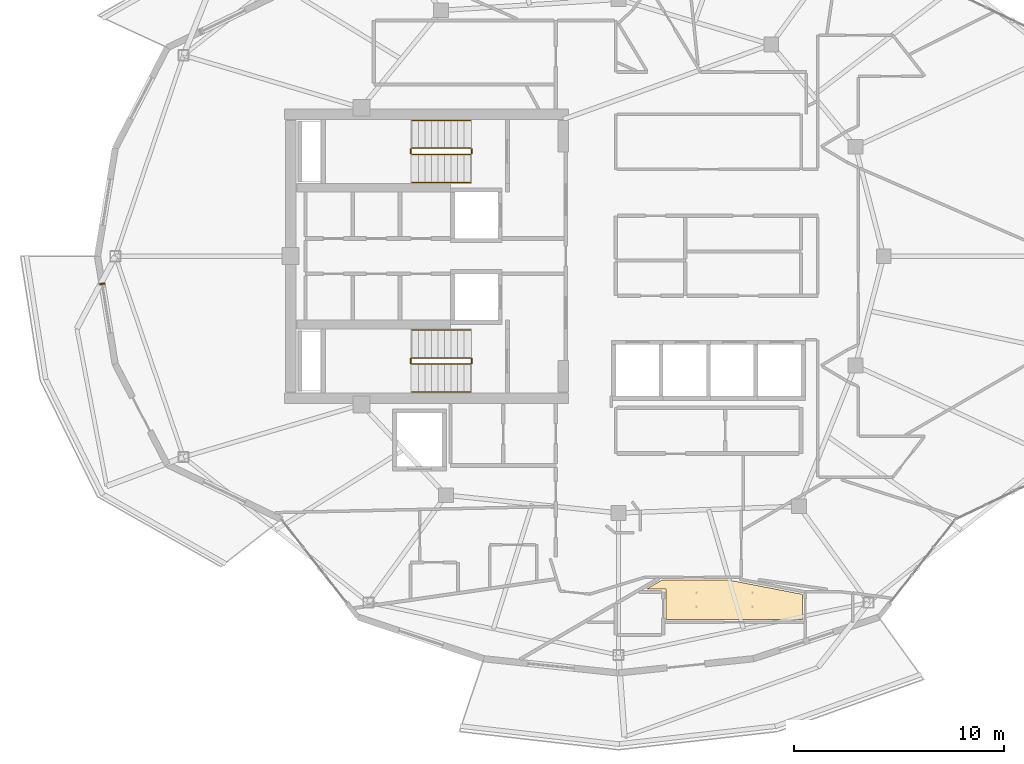
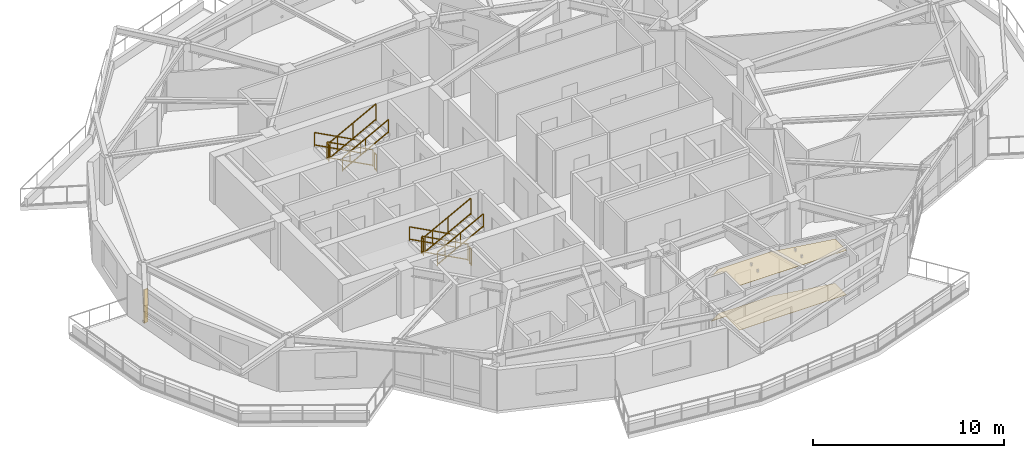
# One storey, part 19 of 21: 12 railings, 2 coverings, 1 shading device.
"""IFC4 building model written with IfcOpenShell, lengths in metres."""

from ifc_helpers import new_model, si_unit, direction, frame, origin, origin_2d, place, context, subcontext, project, spatial, polyline, rectangle, outline, extrude, material, layer, layer_set, type_object, element, save


model = new_model("IFC4")

# Units and contexts
model_context = context("Model", 3, precision=1e-05, world=origin(), true_north=direction((0.0, 1.0)))
body_context = subcontext(model_context, "Body", "Model", "MODEL_VIEW")
ifc_project = project(units=[si_unit("LENGTHUNIT", "METRE"), si_unit("AREAUNIT", "SQUARE_METRE"), si_unit("VOLUMEUNIT", "CUBIC_METRE"), si_unit("PLANEANGLEUNIT", "RADIAN"), si_unit("MASSUNIT", "GRAM", prefix="KILO")], contexts=[model_context])

# Site, building, storey
site_placement = place(None, origin())
site = spatial("IfcSite", under=ifc_project, at=site_placement, CompositionType="ELEMENT")
building_placement = place(site_placement, origin())
building = spatial("IfcBuilding", under=site, at=building_placement, Name="Kolvaren Gate Tower and Convention Centre", CompositionType="ELEMENT")
storey_placement = place(building_placement, frame((0.0, 0.0, 226.10009765625)))
storey = spatial("IfcBuildingStorey", under=building, at=storey_placement, Name="L60", CompositionType="ELEMENT", Elevation=226.10009765625)

# Coverings
ifc_material_1 = material(Name="Perforated Mineral-Fibre Acoustic Ceiling Tile 18 mm", Category="gypsum")
ifc_layer_1 = layer(ifc_material_1, 0.01806640625)
ifc_layer_set_1 = layer_set([ifc_layer_1], Name="Perforated Mineral-Fibre Acoustic Ceiling Tile 18 mm")
covering_type_1 = type_object("IfcCoveringType", Name="ARCH-COV-CEIL-18", PredefinedType="CEILING", material=ifc_layer_set_1)
covering_1_placement = place(storey_placement, frame((0.0, 0.0, 2.849853515625)))
element("IfcCovering", 1, at=covering_1_placement, inside=storey, type_object=covering_type_1, Name="Duplex Loft Living Room (APT-L60-02) Acoustic Suspended Ceiling", PredefinedType="CEILING", context=body_context, shape_type="SweptSolid", body=[
    extrude(outline(polyline([(32.389892578125, 9.7451171875), (32.389892578125, 11.18994140625), (31.470947265625, 11.18994140625), (32.193115234375, 11.610107421875), (35.3701171875, 11.610107421875), (38.860107421875, 10.93408203125), (38.860107421875, 9.7451171875), (32.389892578125, 9.7451171875)])), origin(), (0.0, 0.0, 1.0), 0.01806640625),
])
ifc_material_2 = material(Name="FSC Andean Oak Engineered Parquet Flooring 22 mm", Category="wood")
ifc_layer_2 = layer(ifc_material_2, 0.02197265625)
ifc_layer_set_2 = layer_set([ifc_layer_2], Name="FSC Andean Oak Engineered Parquet Flooring 22 mm")
covering_type_2 = type_object("IfcCoveringType", Name="ARCH-COV-WOOD-22", PredefinedType="FLOORING", material=ifc_layer_set_2)
covering_2_placement = place(storey_placement, origin())
element("IfcCovering", 2, at=covering_2_placement, inside=storey, type_object=covering_type_2, Name="Duplex Loft Living Room (APT-L60-02) Interior Finish Flooring", PredefinedType="FLOORING", context=body_context, shape_type="SweptSolid", body=[
    extrude(outline(polyline([(32.389892578125, 9.7451171875), (32.389892578125, 11.18994140625), (31.470947265625, 11.18994140625), (32.193115234375, 11.610107421875), (35.3701171875, 11.610107421875), (38.860107421875, 10.93408203125), (38.860107421875, 9.7451171875), (32.389892578125, 9.7451171875)])), origin(), (0.0, 0.0, 1.0), 0.02197265625),
])

# Railings
ifc_material_3 = material(Name="Brushed Stainless Steel Grade 316L", Category="steel")
railing_type_1 = type_object("IfcRailingType", Name="ARCH-RL-GUARD-1150", PredefinedType="GUARDRAIL", material=ifc_material_3)
railing_1_placement = place(storey_placement, frame((23.10009765625, 32.1298828125, 0.164794921875)))
element("IfcRailing", 3, at=railing_1_placement, inside=storey, type_object=railing_type_1, Name="L60 ST-T1 stair guard 1", PredefinedType="GUARDRAIL", context=body_context, shape_type="SweptSolid", body=[
    extrude(rectangle(XDim=0.048095703125, YDim=0.048095703125, at=origin_2d()), frame((0.0, 0.0, 1.076171875), z_axis=(-0.882735390775, 0.0, 0.469870439454), x_axis=(0.0, -1.0, 0.0)), (0.0, 0.0, 1.0), 3.16064453125),
    extrude(rectangle(XDim=0.048095703125, YDim=0.048095703125, at=origin_2d()), frame((0.0, 0.0, 0.083984375), z_axis=(-0.882735390775, 0.0, 0.469870439454), x_axis=(0.0, -1.0, 0.0)), (0.0, 0.0, 1.0), 3.16064453125),
    extrude(rectangle(XDim=0.0419921875, YDim=0.0419921875, at=origin_2d()), origin(), (0.0, 0.0, 1.0), 1.050048828125),
    extrude(rectangle(XDim=0.0419921875, YDim=0.0419921875, at=origin_2d()), frame((-2.7900390625, 0.0, 1.485107421875)), (0.0, 0.0, 1.0), 1.050048828125),
    extrude(rectangle(XDim=0.0419921875, YDim=0.0419921875, at=origin_2d()), frame((-1.39501953125, 0.0, 0.74267578125)), (0.0, 0.0, 1.0), 1.050048828125),
])
railing_2_placement = place(storey_placement, frame((20.260009765625, 32.080078125, 1.64990234375)))
element("IfcRailing", 4, at=railing_2_placement, inside=storey, type_object=railing_type_1, Name="L60 ST-T1 stair guard 2", PredefinedType="GUARDRAIL", context=body_context, shape_type="SweptSolid", body=[
    extrude(rectangle(XDim=0.048095703125, YDim=0.048095703125, at=origin_2d()), frame((0.0, 0.0, 1.076171875), z_axis=(0.0, -1.0, 0.0), x_axis=(1.0, 0.0, 0.0)), (0.0, 0.0, 1.0), 0.2001953125),
    extrude(rectangle(XDim=0.048095703125, YDim=0.048095703125, at=origin_2d()), frame((0.0, 0.0, 0.083984375), z_axis=(0.0, -1.0, 0.0), x_axis=(1.0, 0.0, 0.0)), (0.0, 0.0, 1.0), 0.2001953125),
    extrude(rectangle(XDim=0.0419921875, YDim=0.0419921875, at=origin_2d()), origin(), (0.0, 0.0, 1.0), 1.050048828125),
    extrude(rectangle(XDim=0.0419921875, YDim=0.0419921875, at=origin_2d()), frame((0.0, -0.2001953125, 0.0)), (0.0, 0.0, 1.0), 1.050048828125),
])
railing_3_placement = place(storey_placement, frame((20.31005859375, 31.830078125, 1.81494140625)))
element("IfcRailing", 5, at=railing_3_placement, inside=storey, type_object=railing_type_1, Name="L60 ST-T1 stair guard 3", PredefinedType="GUARDRAIL", context=body_context, shape_type="SweptSolid", body=[
    extrude(rectangle(XDim=0.048095703125, YDim=0.048095703125, at=origin_2d()), frame((0.0, 0.0, 1.076171875), z_axis=(0.882767428149, 0.0, 0.469810246588), x_axis=(0.0, 1.0, 0.0)), (0.0, 0.0, 1.0), 3.16064453125),
    extrude(rectangle(XDim=0.048095703125, YDim=0.048095703125, at=origin_2d()), frame((0.0, 0.0, 0.083984375), z_axis=(0.882767428149, 0.0, 0.469810246588), x_axis=(0.0, 1.0, 0.0)), (0.0, 0.0, 1.0), 3.16064453125),
    extrude(rectangle(XDim=0.0419921875, YDim=0.0419921875, at=origin_2d()), origin(), (0.0, 0.0, 1.0), 1.050048828125),
    extrude(rectangle(XDim=0.0419921875, YDim=0.0419921875, at=origin_2d()), frame((2.7900390625, 0.0, 1.48486328125)), (0.0, 0.0, 1.0), 1.050048828125),
    extrude(rectangle(XDim=0.0419921875, YDim=0.0419921875, at=origin_2d()), frame((1.39501953125, 0.0, 0.742431640625)), (0.0, 0.0, 1.0), 1.050048828125),
])
railing_4_placement = place(storey_placement, frame((23.14990234375, 32.080078125, 0.0)))
element("IfcRailing", 6, at=railing_4_placement, inside=storey, type_object=railing_type_1, Name="L60 ST-T1 stair guard 4", PredefinedType="GUARDRAIL", context=body_context, shape_type="SweptSolid", body=[
    extrude(rectangle(XDim=0.048095703125, YDim=0.048095703125, at=origin_2d()), frame((0.0, 0.0, 1.076171875), z_axis=(0.0, -1.0, 0.0), x_axis=(1.0, 0.0, 0.0)), (0.0, 0.0, 1.0), 0.2001953125),
    extrude(rectangle(XDim=0.048095703125, YDim=0.048095703125, at=origin_2d()), frame((0.0, 0.0, 0.083984375), z_axis=(0.0, -1.0, 0.0), x_axis=(1.0, 0.0, 0.0)), (0.0, 0.0, 1.0), 0.2001953125),
    extrude(rectangle(XDim=0.0419921875, YDim=0.0419921875, at=origin_2d()), origin(), (0.0, 0.0, 1.0), 1.050048828125),
    extrude(rectangle(XDim=0.0419921875, YDim=0.0419921875, at=origin_2d()), frame((0.0, -0.2001953125, 0.0)), (0.0, 0.0, 1.0), 1.050048828125),
])
railing_5_placement = place(storey_placement, frame((23.10009765625, 22.169921875, 0.164794921875)))
element("IfcRailing", 7, at=railing_5_placement, inside=storey, type_object=railing_type_1, Name="L60 ST-T2 stair guard 1", PredefinedType="GUARDRAIL", context=body_context, shape_type="SweptSolid", body=[
    extrude(rectangle(XDim=0.048095703125, YDim=0.048095703125, at=origin_2d()), frame((0.0, 0.0, 1.076171875), z_axis=(-0.882735390775, 0.0, 0.469870439454), x_axis=(0.0, -1.0, 0.0)), (0.0, 0.0, 1.0), 3.16064453125),
    extrude(rectangle(XDim=0.048095703125, YDim=0.048095703125, at=origin_2d()), frame((0.0, 0.0, 0.083984375), z_axis=(-0.882735390775, 0.0, 0.469870439454), x_axis=(0.0, -1.0, 0.0)), (0.0, 0.0, 1.0), 3.16064453125),
    extrude(rectangle(XDim=0.0419921875, YDim=0.0419921875, at=origin_2d()), origin(), (0.0, 0.0, 1.0), 1.050048828125),
    extrude(rectangle(XDim=0.0419921875, YDim=0.0419921875, at=origin_2d()), frame((-2.7900390625, 0.0, 1.485107421875)), (0.0, 0.0, 1.0), 1.050048828125),
    extrude(rectangle(XDim=0.0419921875, YDim=0.0419921875, at=origin_2d()), frame((-1.39501953125, 0.0, 0.74267578125)), (0.0, 0.0, 1.0), 1.050048828125),
])
railing_6_placement = place(storey_placement, frame((20.260009765625, 22.1201171875, 1.64990234375)))
element("IfcRailing", 8, at=railing_6_placement, inside=storey, type_object=railing_type_1, Name="L60 ST-T2 stair guard 2", PredefinedType="GUARDRAIL", context=body_context, shape_type="SweptSolid", body=[
    extrude(rectangle(XDim=0.048095703125, YDim=0.048095703125, at=origin_2d()), frame((0.0, 0.0, 1.076171875), z_axis=(0.0, -1.0, 0.0), x_axis=(1.0, 0.0, 0.0)), (0.0, 0.0, 1.0), 0.2001953125),
    extrude(rectangle(XDim=0.048095703125, YDim=0.048095703125, at=origin_2d()), frame((0.0, 0.0, 0.083984375), z_axis=(0.0, -1.0, 0.0), x_axis=(1.0, 0.0, 0.0)), (0.0, 0.0, 1.0), 0.2001953125),
    extrude(rectangle(XDim=0.0419921875, YDim=0.0419921875, at=origin_2d()), origin(), (0.0, 0.0, 1.0), 1.050048828125),
    extrude(rectangle(XDim=0.0419921875, YDim=0.0419921875, at=origin_2d()), frame((0.0, -0.2001953125, 0.0)), (0.0, 0.0, 1.0), 1.050048828125),
])
railing_7_placement = place(storey_placement, frame((20.31005859375, 21.8701171875, 1.81494140625)))
element("IfcRailing", 9, at=railing_7_placement, inside=storey, type_object=railing_type_1, Name="L60 ST-T2 stair guard 3", PredefinedType="GUARDRAIL", context=body_context, shape_type="SweptSolid", body=[
    extrude(rectangle(XDim=0.048095703125, YDim=0.048095703125, at=origin_2d()), frame((0.0, 0.0, 1.076171875), z_axis=(0.882767428149, 0.0, 0.469810246588), x_axis=(0.0, 1.0, 0.0)), (0.0, 0.0, 1.0), 3.16064453125),
    extrude(rectangle(XDim=0.048095703125, YDim=0.048095703125, at=origin_2d()), frame((0.0, 0.0, 0.083984375), z_axis=(0.882767428149, 0.0, 0.469810246588), x_axis=(0.0, 1.0, 0.0)), (0.0, 0.0, 1.0), 3.16064453125),
    extrude(rectangle(XDim=0.0419921875, YDim=0.0419921875, at=origin_2d()), origin(), (0.0, 0.0, 1.0), 1.050048828125),
    extrude(rectangle(XDim=0.0419921875, YDim=0.0419921875, at=origin_2d()), frame((2.7900390625, 0.0, 1.48486328125)), (0.0, 0.0, 1.0), 1.050048828125),
    extrude(rectangle(XDim=0.0419921875, YDim=0.0419921875, at=origin_2d()), frame((1.39501953125, 0.0, 0.742431640625)), (0.0, 0.0, 1.0), 1.050048828125),
])
railing_8_placement = place(storey_placement, frame((23.14990234375, 22.1201171875, 0.0)))
element("IfcRailing", 10, at=railing_8_placement, inside=storey, type_object=railing_type_1, Name="L60 ST-T2 stair guard 4", PredefinedType="GUARDRAIL", context=body_context, shape_type="SweptSolid", body=[
    extrude(rectangle(XDim=0.048095703125, YDim=0.048095703125, at=origin_2d()), frame((0.0, 0.0, 1.076171875), z_axis=(0.0, -1.0, 0.0), x_axis=(1.0, 0.0, 0.0)), (0.0, 0.0, 1.0), 0.2001953125),
    extrude(rectangle(XDim=0.048095703125, YDim=0.048095703125, at=origin_2d()), frame((0.0, 0.0, 0.083984375), z_axis=(0.0, -1.0, 0.0), x_axis=(1.0, 0.0, 0.0)), (0.0, 0.0, 1.0), 0.2001953125),
    extrude(rectangle(XDim=0.0419921875, YDim=0.0419921875, at=origin_2d()), origin(), (0.0, 0.0, 1.0), 1.050048828125),
    extrude(rectangle(XDim=0.0419921875, YDim=0.0419921875, at=origin_2d()), frame((0.0, -0.2001953125, 0.0)), (0.0, 0.0, 1.0), 1.050048828125),
])
railing_type_2 = type_object("IfcRailingType", Name="ARCH-RL-HANDRAIL-920", PredefinedType="HANDRAIL", material=ifc_material_3)
railing_9_placement = place(storey_placement, frame((23.10009765625, 33.449951171875, 0.164794921875)))
element("IfcRailing", 11, at=railing_9_placement, inside=storey, type_object=railing_type_2, Name="L60 ST-T1 stair handrail 1", PredefinedType="HANDRAIL", context=body_context, shape_type="SweptSolid", body=[
    extrude(rectangle(XDim=0.048095703125, YDim=0.048095703125, at=origin_2d()), frame((0.0, 0.0, 0.8759765625), z_axis=(-0.882735390775, 0.0, 0.469870439454), x_axis=(0.0, -1.0, 0.0)), (0.0, 0.0, 1.0), 3.16064453125),
    extrude(rectangle(XDim=0.048095703125, YDim=0.048095703125, at=origin_2d()), frame((0.0, 0.0, 0.083984375), z_axis=(-0.882735390775, 0.0, 0.469870439454), x_axis=(0.0, -1.0, 0.0)), (0.0, 0.0, 1.0), 3.16064453125),
    extrude(rectangle(XDim=0.0419921875, YDim=0.0419921875, at=origin_2d()), origin(), (0.0, 0.0, 1.0), 0.849853515625),
    extrude(rectangle(XDim=0.0419921875, YDim=0.0419921875, at=origin_2d()), frame((-2.7900390625, 0.0, 1.485107421875)), (0.0, 0.0, 1.0), 0.849853515625),
    extrude(rectangle(XDim=0.0419921875, YDim=0.0419921875, at=origin_2d()), frame((-1.39501953125, 0.0, 0.74267578125)), (0.0, 0.0, 1.0), 0.849853515625),
])
railing_10_placement = place(storey_placement, frame((20.31005859375, 30.510009765625, 1.81494140625)))
element("IfcRailing", 12, at=railing_10_placement, inside=storey, type_object=railing_type_2, Name="L60 ST-T1 stair handrail 2", PredefinedType="HANDRAIL", context=body_context, shape_type="SweptSolid", body=[
    extrude(rectangle(XDim=0.048095703125, YDim=0.048095703125, at=origin_2d()), frame((0.0, 0.0, 0.8759765625), z_axis=(0.882767428149, 0.0, 0.469810246588), x_axis=(0.0, 1.0, 0.0)), (0.0, 0.0, 1.0), 3.16064453125),
    extrude(rectangle(XDim=0.048095703125, YDim=0.048095703125, at=origin_2d()), frame((0.0, 0.0, 0.083984375), z_axis=(0.882767428149, 0.0, 0.469810246588), x_axis=(0.0, 1.0, 0.0)), (0.0, 0.0, 1.0), 3.16064453125),
    extrude(rectangle(XDim=0.0419921875, YDim=0.0419921875, at=origin_2d()), origin(), (0.0, 0.0, 1.0), 0.849853515625),
    extrude(rectangle(XDim=0.0419921875, YDim=0.0419921875, at=origin_2d()), frame((2.7900390625, 0.0, 1.48486328125)), (0.0, 0.0, 1.0), 0.849853515625),
    extrude(rectangle(XDim=0.0419921875, YDim=0.0419921875, at=origin_2d()), frame((1.39501953125, 0.0, 0.742431640625)), (0.0, 0.0, 1.0), 0.849853515625),
])
railing_11_placement = place(storey_placement, frame((23.10009765625, 23.489990234375, 0.164794921875)))
element("IfcRailing", 13, at=railing_11_placement, inside=storey, type_object=railing_type_2, Name="L60 ST-T2 stair handrail 1", PredefinedType="HANDRAIL", context=body_context, shape_type="SweptSolid", body=[
    extrude(rectangle(XDim=0.048095703125, YDim=0.048095703125, at=origin_2d()), frame((0.0, 0.0, 0.8759765625), z_axis=(-0.882735390775, 0.0, 0.469870439454), x_axis=(0.0, -1.0, 0.0)), (0.0, 0.0, 1.0), 3.16064453125),
    extrude(rectangle(XDim=0.048095703125, YDim=0.048095703125, at=origin_2d()), frame((0.0, 0.0, 0.083984375), z_axis=(-0.882735390775, 0.0, 0.469870439454), x_axis=(0.0, -1.0, 0.0)), (0.0, 0.0, 1.0), 3.16064453125),
    extrude(rectangle(XDim=0.0419921875, YDim=0.0419921875, at=origin_2d()), origin(), (0.0, 0.0, 1.0), 0.849853515625),
    extrude(rectangle(XDim=0.0419921875, YDim=0.0419921875, at=origin_2d()), frame((-2.7900390625, 0.0, 1.485107421875)), (0.0, 0.0, 1.0), 0.849853515625),
    extrude(rectangle(XDim=0.0419921875, YDim=0.0419921875, at=origin_2d()), frame((-1.39501953125, 0.0, 0.74267578125)), (0.0, 0.0, 1.0), 0.849853515625),
])
railing_12_placement = place(storey_placement, frame((20.31005859375, 20.550048828125, 1.81494140625)))
element("IfcRailing", 14, at=railing_12_placement, inside=storey, type_object=railing_type_2, Name="L60 ST-T2 stair handrail 2", PredefinedType="HANDRAIL", context=body_context, shape_type="SweptSolid", body=[
    extrude(rectangle(XDim=0.048095703125, YDim=0.048095703125, at=origin_2d()), frame((0.0, 0.0, 0.8759765625), z_axis=(0.882767428149, 0.0, 0.469810246588), x_axis=(0.0, 1.0, 0.0)), (0.0, 0.0, 1.0), 3.16064453125),
    extrude(rectangle(XDim=0.048095703125, YDim=0.048095703125, at=origin_2d()), frame((0.0, 0.0, 0.083984375), z_axis=(0.882767428149, 0.0, 0.469810246588), x_axis=(0.0, 1.0, 0.0)), (0.0, 0.0, 1.0), 3.16064453125),
    extrude(rectangle(XDim=0.0419921875, YDim=0.0419921875, at=origin_2d()), origin(), (0.0, 0.0, 1.0), 0.849853515625),
    extrude(rectangle(XDim=0.0419921875, YDim=0.0419921875, at=origin_2d()), frame((2.7900390625, 0.0, 1.48486328125)), (0.0, 0.0, 1.0), 0.849853515625),
    extrude(rectangle(XDim=0.0419921875, YDim=0.0419921875, at=origin_2d()), frame((1.39501953125, 0.0, 0.742431640625)), (0.0, 0.0, 1.0), 0.849853515625),
])

# Shading device
ifc_material_4 = material(Name="Kiln-Fired Bogota Terracotta Ceramic Louvre Profile", Category="masonry")
shading_device_type = type_object("IfcShadingDeviceType", Name="ARCH-SHD-FIN-180", PredefinedType="JALOUSIE", material=ifc_material_4)
shading_device_placement = place(storey_placement, frame((5.592041015625, 25.6806640625, 0.219970703125), z_axis=(0.0, 0.0, 1.0), x_axis=(0.162375401515, -0.986729055508, 0.0)))
element("IfcShadingDevice", 15, at=shading_device_placement, inside=storey, type_object=shading_device_type, Name="Ceramic Vertical Brise-Soleil Fin FN-L60-12", PredefinedType="JALOUSIE", context=body_context, shape_type="SweptSolid", body=[
    extrude(rectangle(XDim=0.06005859375, YDim=0.239990234375, at=origin_2d()), origin(), (0.0, 0.0, 1.0), 2.14990234375),
])

save(model, "model.ifc")
